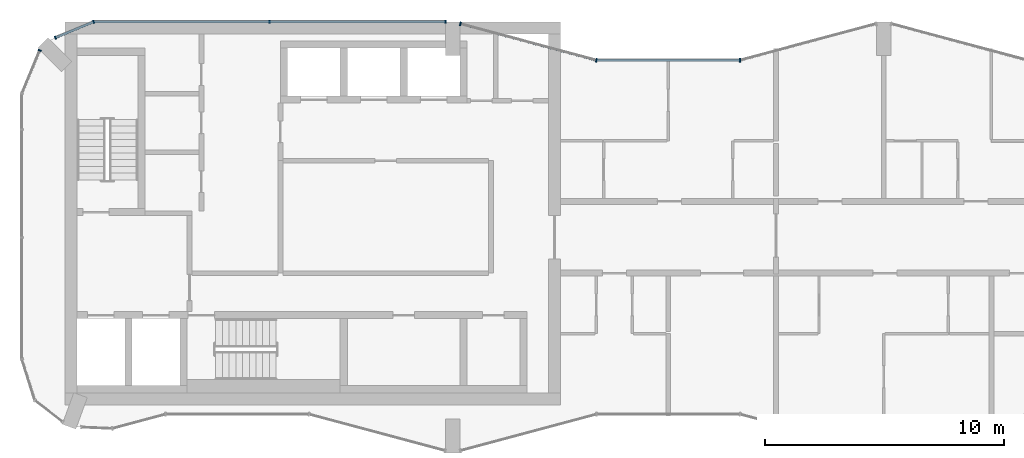
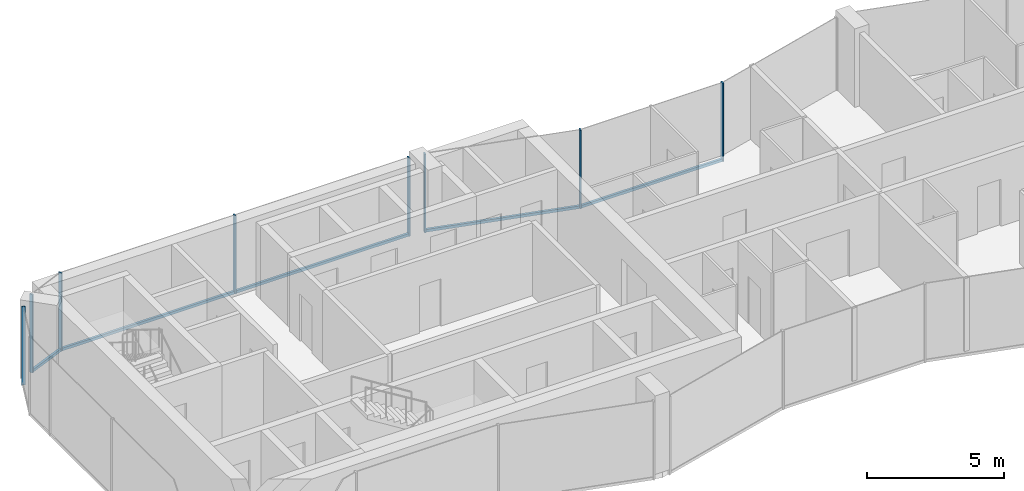
# One storey, part 4 of 10: 12 members, 5 elements without a shape of their own.
"""IFC4 building model written with IfcOpenShell, lengths in metres."""

from ifc_helpers import new_model, si_unit, direction, frame, origin, origin_2d, place, context, subcontext, project, spatial, rectangle, extrude, material, layer, layer_set, material_profile, profile_set, type_object, element, aggregate, save


model = new_model("IFC4")

# Units and contexts
model_context = context("Model", 3, precision=1e-05, world=origin(), true_north=direction((0.0, 1.0)))
body_context = subcontext(model_context, "Body", "Model", "MODEL_VIEW")
ifc_project = project(units=[si_unit("LENGTHUNIT", "METRE"), si_unit("AREAUNIT", "SQUARE_METRE"), si_unit("VOLUMEUNIT", "CUBIC_METRE"), si_unit("PLANEANGLEUNIT", "RADIAN"), si_unit("MASSUNIT", "GRAM", prefix="KILO")], contexts=[model_context])

# Site, building, storey
site_placement = place(None, origin())
site = spatial("IfcSite", under=ifc_project, at=site_placement, CompositionType="ELEMENT")
building_placement = place(site_placement, origin())
building = spatial("IfcBuilding", under=site, at=building_placement, Name="Plateau Cross Towers", CompositionType="ELEMENT")
storey_placement = place(building_placement, frame((0.0, 0.0, 245.89990234375)))
storey = spatial("IfcBuildingStorey", under=building, at=storey_placement, Name="L64", CompositionType="ELEMENT", Elevation=245.89990234375)

# Curtain wall, members
ifc_material_1 = material(Name="Dark low-iron glass", Category="glass")
ifc_layer_1 = layer(ifc_material_1, 0.239990234375)
ifc_layer_set_1 = layer_set([ifc_layer_1], Name="Dark low-iron glass")
curtain_wall_type_1 = type_object("IfcCurtainWallType", Name="Curtain wall flush unitised CW-B", PredefinedType="NOTDEFINED", material=ifc_layer_set_1)
curtain_wall_1_placement = place(storey_placement, origin())
curtain_wall_1 = element("IfcCurtainWall", 1, at=curtain_wall_1_placement, inside=storey, type_object=curtain_wall_type_1, Name="ENV/A/L64/A177_180", PredefinedType="NOTDEFINED")
ifc_material_2 = material(Name="Black anodised aluminium", Category="aluminium")
ifc_material_profile_1 = material_profile(ifc_material_2, rectangle(XDim=0.06005859375, YDim=0.139892578125, at=origin_2d()), Name="MULLION 60x140")
ifc_profile_set_1 = profile_set([ifc_material_profile_1], Name="Black anodised aluminium")
member_type_1 = type_object("IfcMemberType", Name="Mullion 60x140 flush unitised", PredefinedType="MULLION", material=ifc_profile_set_1)
member_1_placement = place(storey_placement, frame((17.699951171875, 18.0, -0.25), z_axis=(0.0, 0.0, 1.0), x_axis=(-1.0, 0.0, 0.0)))
member_1 = element("IfcMember", 2, at=member_1_placement, type_object=member_type_1, Name="CW-B mullion 1", PredefinedType="MULLION", context=body_context, shape_type="SweptSolid", body=[
    extrude(rectangle(XDim=0.06005859375, YDim=0.139892578125, at=origin_2d()), origin(), (0.0, 0.0, 1.0), 3.5),
])
member_2_placement = place(storey_placement, frame((10.35009765625, 18.0, -0.25), z_axis=(0.0, 0.0, 1.0), x_axis=(-1.0, 0.0, 0.0)))
member_2 = element("IfcMember", 3, at=member_2_placement, type_object=member_type_1, Name="CW-B mullion 2", PredefinedType="MULLION", context=body_context, shape_type="SweptSolid", body=[
    extrude(rectangle(XDim=0.06005859375, YDim=0.139892578125, at=origin_2d()), origin(), (0.0, 0.0, 1.0), 3.5),
])

curtain_wall_2_placement = place(storey_placement, origin())
curtain_wall_2 = element("IfcCurtainWall", 4, at=curtain_wall_2_placement, inside=storey, type_object=curtain_wall_type_1, Name="ENV/A/L64/A30_180", PredefinedType="NOTDEFINED")
member_3_placement = place(storey_placement, frame((3.0, 18.0, -0.25), z_axis=(0.0, 0.0, 1.0), x_axis=(-0.923879457699, -0.382683612978, 0.0)))
member_3 = element("IfcMember", 5, at=member_3_placement, type_object=member_type_1, Name="CW-B mullion 1", PredefinedType="MULLION", context=body_context, shape_type="SweptSolid", body=[
    extrude(rectangle(XDim=0.06005859375, YDim=0.139892578125, at=origin_2d()), origin(), (0.0, 0.0, 1.0), 3.5),
])
member_4_placement = place(storey_placement, frame((1.4033203125, 17.338623046875, -0.25), z_axis=(0.0, 0.0, 1.0), x_axis=(-0.923879457699, -0.382683612978, 0.0)))
member_4 = element("IfcMember", 6, at=member_4_placement, type_object=member_type_1, Name="CW-B mullion 2", PredefinedType="MULLION", context=body_context, shape_type="SweptSolid", body=[
    extrude(rectangle(XDim=0.06005859375, YDim=0.139892578125, at=origin_2d()), origin(), (0.0, 0.0, 1.0), 3.5),
])

# Curtain wall, member
curtain_wall_3_placement = place(storey_placement, origin())
curtain_wall_3 = element("IfcCurtainWall", 7, at=curtain_wall_3_placement, inside=storey, type_object=curtain_wall_type_1, Name="ENV/A/L64/A7_168", PredefinedType="NOTDEFINED")
member_5_placement = place(storey_placement, frame((0.748046875, 16.805908203125, -0.25), z_axis=(0.0, 0.0, 1.0), x_axis=(-0.382683612978, -0.923879457699, 0.0)))
member_5 = element("IfcMember", 8, at=member_5_placement, type_object=member_type_1, Name="CW-B mullion 1", PredefinedType="MULLION", context=body_context, shape_type="SweptSolid", body=[
    extrude(rectangle(XDim=0.06005859375, YDim=0.139892578125, at=origin_2d()), origin(), (0.0, 0.0, 1.0), 3.5),
])
aggregate(curtain_wall_3, [member_5])

ifc_layer_2 = layer(ifc_material_1, 0.260009765625)
ifc_layer_set_2 = layer_set([ifc_layer_2], Name="Dark low-iron glass")
curtain_wall_type_2 = type_object("IfcCurtainWallType", Name="Curtain wall fluted unitised CW-A", PredefinedType="NOTDEFINED", material=ifc_layer_set_2)
curtain_wall_4_placement = place(storey_placement, origin())
curtain_wall_4 = element("IfcCurtainWall", 9, at=curtain_wall_4_placement, inside=storey, type_object=curtain_wall_type_2, Name="ENV/A/L64/A300_164", PredefinedType="NOTDEFINED")
ifc_material_profile_2 = material_profile(ifc_material_2, rectangle(XDim=0.06005859375, YDim=0.159912109375, at=origin_2d()), Name="MULLION 60x160")
ifc_profile_set_2 = profile_set([ifc_material_profile_2], Name="Black anodised aluminium")
member_type_2 = type_object("IfcMemberType", Name="Mullion 60x160 fluted unitised", PredefinedType="MULLION", material=ifc_profile_set_2)
member_6_placement = place(storey_placement, frame((30.0, 16.39306640625, -0.25), z_axis=(0.0, 0.0, 1.0), x_axis=(-1.0, 0.0, 0.0)))
member_6 = element("IfcMember", 10, at=member_6_placement, type_object=member_type_2, Name="CW-A mullion 1", PredefinedType="MULLION", context=body_context, shape_type="SweptSolid", body=[
    extrude(rectangle(XDim=0.06005859375, YDim=0.159912109375, at=origin_2d()), origin(), (0.0, 0.0, 1.0), 3.5),
])

# Curtain wall, members
curtain_wall_5_placement = place(storey_placement, origin())
curtain_wall_5 = element("IfcCurtainWall", 11, at=curtain_wall_5_placement, inside=storey, type_object=curtain_wall_type_2, Name="ENV/A/L64/A240_164", PredefinedType="NOTDEFINED")
member_7_placement = place(storey_placement, frame((24.0, 16.39306640625, -0.25), z_axis=(0.0, 0.0, 1.0), x_axis=(-0.965957983404, 0.258699003279, 0.0)))
member_7 = element("IfcMember", 12, at=member_7_placement, type_object=member_type_2, Name="CW-A mullion 1", PredefinedType="MULLION", context=body_context, shape_type="SweptSolid", body=[
    extrude(rectangle(XDim=0.06005859375, YDim=0.159912109375, at=origin_2d()), origin(), (0.0, 0.0, 1.0), 3.5),
])
member_8_placement = place(storey_placement, frame((18.31787109375, 17.914794921875, -0.25), z_axis=(0.0, 0.0, 1.0), x_axis=(-0.965957983404, 0.258699003279, 0.0)))
member_8 = element("IfcMember", 13, at=member_8_placement, type_object=member_type_2, Name="CW-A mullion 2", PredefinedType="MULLION", context=body_context, shape_type="SweptSolid", body=[
    extrude(rectangle(XDim=0.06005859375, YDim=0.159912109375, at=origin_2d()), origin(), (0.0, 0.0, 1.0), 3.5),
])

# Member
ifc_material_profile_3 = material_profile(ifc_material_2, rectangle(XDim=0.10009765625, YDim=0.1201171875, at=origin_2d()), Name="TRANSOM 100x120")
ifc_profile_set_3 = profile_set([ifc_material_profile_3], Name="Black anodised aluminium")
member_type_3 = type_object("IfcMemberType", Name="Transom 100x120 flush unitised", PredefinedType="USERDEFINED", material=ifc_profile_set_3)
member_9_placement = place(storey_placement, frame((17.699951171875, 18.0, -0.18994140625), z_axis=(-1.0, 0.0, 0.0), x_axis=(0.0, -1.0, 0.0)))
member_9 = element("IfcMember", 14, at=member_9_placement, type_object=member_type_3, Name="CW-B transom", ObjectType="TRANSOM", PredefinedType="USERDEFINED", context=body_context, shape_type="SweptSolid", body=[
    extrude(rectangle(XDim=0.10009765625, YDim=0.1201171875, at=origin_2d()), origin(), (0.0, 0.0, 1.0), 14.699951171875),
])

aggregate(curtain_wall_1, [member_1, member_2, member_9])

member_10_placement = place(storey_placement, frame((3.0, 18.0, -0.18994140625), z_axis=(-0.923877369776, -0.382688653628, 0.0), x_axis=(0.382688653628, -0.923877369776, 0.0)))
member_10 = element("IfcMember", 15, at=member_10_placement, type_object=member_type_3, Name="CW-B transom", ObjectType="TRANSOM", PredefinedType="USERDEFINED", context=body_context, shape_type="SweptSolid", body=[
    extrude(rectangle(XDim=0.10009765625, YDim=0.1201171875, at=origin_2d()), origin(), (0.0, 0.0, 1.0), 1.728271484375),
])

aggregate(curtain_wall_2, [member_3, member_4, member_10])

ifc_material_profile_4 = material_profile(ifc_material_2, rectangle(XDim=0.10009765625, YDim=0.1201171875, at=origin_2d()), Name="TRANSOM 100x120")
ifc_profile_set_4 = profile_set([ifc_material_profile_4], Name="Black anodised aluminium")
member_type_4 = type_object("IfcMemberType", Name="Transom 100x120 fluted unitised", PredefinedType="USERDEFINED", material=ifc_profile_set_4)
member_11_placement = place(storey_placement, frame((30.0, 16.39306640625, -0.18994140625), z_axis=(-1.0, 0.0, 0.0), x_axis=(0.0, -1.0, 0.0)))
member_11 = element("IfcMember", 16, at=member_11_placement, type_object=member_type_4, Name="CW-A transom", ObjectType="TRANSOM", PredefinedType="USERDEFINED", context=body_context, shape_type="SweptSolid", body=[
    extrude(rectangle(XDim=0.10009765625, YDim=0.1201171875, at=origin_2d()), origin(), (0.0, 0.0, 1.0), 6.0),
])

aggregate(curtain_wall_4, [member_6, member_11])

member_12_placement = place(storey_placement, frame((24.0, 16.39306640625, -0.18994140625), z_axis=(-0.965959534794, 0.258693210465, 0.0), x_axis=(-0.258693210465, -0.965959534794, 0.0)))
member_12 = element("IfcMember", 17, at=member_12_placement, type_object=member_type_4, Name="CW-A transom", ObjectType="TRANSOM", PredefinedType="USERDEFINED", context=body_context, shape_type="SweptSolid", body=[
    extrude(rectangle(XDim=0.10009765625, YDim=0.1201171875, at=origin_2d()), origin(), (0.0, 0.0, 1.0), 5.88232421875),
])

aggregate(curtain_wall_5, [member_7, member_8, member_12])

save(model, "model.ifc")
